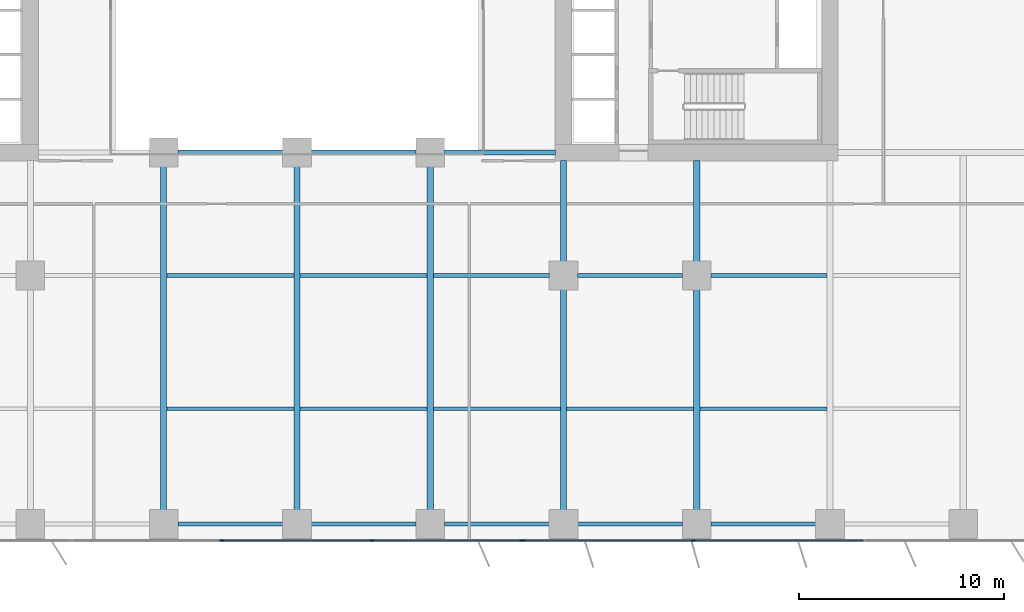
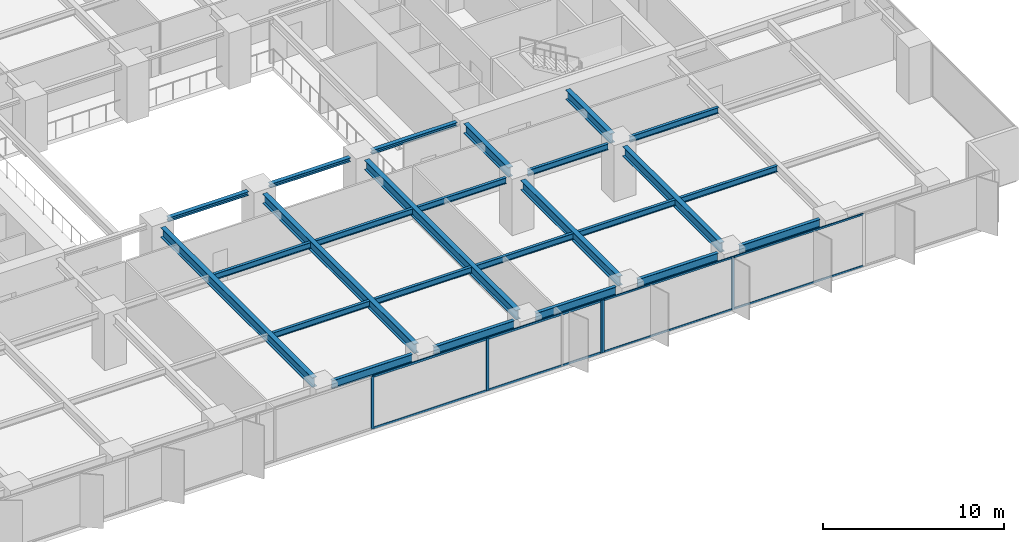
# One storey, part 5 of 20: 25 beams, 13 members, 2 elements without a shape of their own.
"""IFC4 building model written with IfcOpenShell, lengths in metres."""

from ifc_helpers import new_model, si_unit, direction, frame, origin, origin_2d, place, context, subcontext, project, spatial, rectangle, i_section, extrude, material, layer, layer_set, material_profile, profile_set, type_object, element, aggregate, save


model = new_model("IFC4")

# Units and contexts
model_context = context("Model", 3, precision=1e-05, world=origin(), true_north=direction((0.0, 1.0)))
body_context = subcontext(model_context, "Body", "Model", "MODEL_VIEW")
ifc_project = project(units=[si_unit("LENGTHUNIT", "METRE"), si_unit("AREAUNIT", "SQUARE_METRE"), si_unit("VOLUMEUNIT", "CUBIC_METRE"), si_unit("PLANEANGLEUNIT", "RADIAN"), si_unit("MASSUNIT", "GRAM", prefix="KILO")], contexts=[model_context])

# Site, building, storey
site_placement = place(None, origin())
site = spatial("IfcSite", under=ifc_project, at=site_placement, CompositionType="ELEMENT")
building_placement = place(site_placement, origin())
building = spatial("IfcBuilding", under=site, at=building_placement, Name="Putna Gate Headquarters", CompositionType="ELEMENT")
storey_placement = place(building_placement, frame((0.0, 0.0, 58.199951171875)))
storey = spatial("IfcBuildingStorey", under=building, at=storey_placement, Name="L13", CompositionType="ELEMENT", Elevation=58.199951171875)

# Beams
ifc_material_1 = material(Name="Steel S355J2", Category="steel")
ifc_material_profile_1 = material_profile(ifc_material_1, i_section(OverallWidth=0.260009765625, OverallDepth=0.260009765625, WebThickness=0.010009765625, FlangeThickness=0.017578125, at=origin_2d()), Name="Steel S355J2")
ifc_profile_set_1 = profile_set([ifc_material_profile_1], Name="Steel S355J2")
beam_type_1 = type_object("IfcBeamType", Name="BM-ATRIUM-HEB260", PredefinedType="BEAM", material=ifc_profile_set_1)
for number, where, z_axis, x_axis, name in (
    (1, (33.18798828125, 19.0, 3.420166015625), (1.0, 0.0, 0.0), (0.0, 1.0, 0.0), "L13 Atrium Edge Beam AS2"),
    (2, (39.68798828125, 19.0, 3.420166015625), (1.0, 0.0, 0.0), (0.0, 1.0, 0.0), "L13 Atrium Edge Beam AS3"),
):
    element("IfcBeam", number, at=place(storey_placement, frame(where, z_axis=z_axis, x_axis=x_axis)), inside=storey, type_object=beam_type_1, Name=name, PredefinedType="BEAM", context=body_context, shape_type="SweptSolid", body=[
        extrude(i_section(OverallWidth=0.260009765625, OverallDepth=0.260009765625, WebThickness=0.010009765625, FlangeThickness=0.017578125, at=origin_2d()), origin(), (0.0, 0.0, 1.0), 5.1240234375),
    ])
beam_1_placement = place(storey_placement, frame((46.18798828125, 19.0, 3.420166015625), z_axis=(1.0, 0.0, 0.0), x_axis=(0.0, 1.0, 0.0)))
element("IfcBeam", 3, at=beam_1_placement, inside=storey, type_object=beam_type_1, Name="L13 Atrium Edge Beam AS4", PredefinedType="BEAM", context=body_context, shape_type="SweptSolid", body=[
    extrude(i_section(OverallWidth=0.260009765625, OverallDepth=0.260009765625, WebThickness=0.010009765625, FlangeThickness=0.017578125, at=origin_2d()), origin(), (0.0, 0.0, 1.0), 5.427001953125),
])
ifc_material_profile_2 = material_profile(ifc_material_1, i_section(OverallWidth=0.300048828125, OverallDepth=0.64990234375, WebThickness=0.01611328125, FlangeThickness=0.031005859375, at=origin_2d()), Name="Steel S355J2")
ifc_profile_set_2 = profile_set([ifc_material_profile_2], Name="Steel S355J2")
beam_type_2 = type_object("IfcBeamType", Name="BM-GIRD-Z1-HEB650", PredefinedType="USERDEFINED", material=ifc_profile_set_2)
for number, where, z_axis, x_axis, name in (
    (4, (32.5, 1.568115234375, 3.22509765625), (0.0, 1.0, 0.0), (-1.0, 0.0, 0.0), "L13 South Primary Girder X32"),
    (5, (39.0, 1.568115234375, 3.22509765625), (0.0, 1.0, 0.0), (-1.0, 0.0, 0.0), "L13 South Primary Girder X39"),
    (6, (45.5, 1.568115234375, 3.22509765625), (0.0, 1.0, 0.0), (-1.0, 0.0, 0.0), "L13 South Primary Girder X45"),
):
    element("IfcBeam", number, at=place(storey_placement, frame(where, z_axis=z_axis, x_axis=x_axis)), inside=storey, type_object=beam_type_2, Name=name, ObjectType="GIRDER", PredefinedType="USERDEFINED", context=body_context, shape_type="SweptSolid", body=[
        extrude(i_section(OverallWidth=0.300048828125, OverallDepth=0.64990234375, WebThickness=0.01611328125, FlangeThickness=0.031005859375, at=origin_2d()), origin(), (0.0, 0.0, 1.0), 16.743896484375),
    ])
beam_2_placement = place(storey_placement, frame((52.0, 1.568115234375, 3.22509765625), z_axis=(0.0, 1.0, 0.0), x_axis=(-1.0, 0.0, 0.0)))
element("IfcBeam", 7, at=beam_2_placement, inside=storey, type_object=beam_type_2, Name="L13 South Primary Girder X52-1", ObjectType="GIRDER", PredefinedType="USERDEFINED", context=body_context, shape_type="SweptSolid", body=[
    extrude(i_section(OverallWidth=0.300048828125, OverallDepth=0.64990234375, WebThickness=0.01611328125, FlangeThickness=0.031005859375, at=origin_2d()), origin(), (0.0, 0.0, 1.0), 10.743896484375),
])
beam_3_placement = place(storey_placement, frame((52.0, 13.68798828125, 3.22509765625), z_axis=(0.0, 1.0, 0.0), x_axis=(-1.0, 0.0, 0.0)))
element("IfcBeam", 8, at=beam_3_placement, inside=storey, type_object=beam_type_2, Name="L13 South Primary Girder X52-2", ObjectType="GIRDER", PredefinedType="USERDEFINED", context=body_context, shape_type="SweptSolid", body=[
    extrude(i_section(OverallWidth=0.300048828125, OverallDepth=0.64990234375, WebThickness=0.01611328125, FlangeThickness=0.031005859375, at=origin_2d()), origin(), (0.0, 0.0, 1.0), 4.927001953125),
])
beam_4_placement = place(storey_placement, frame((58.5, 1.568115234375, 3.22509765625), z_axis=(0.0, 1.0, 0.0), x_axis=(-1.0, 0.0, 0.0)))
element("IfcBeam", 9, at=beam_4_placement, inside=storey, type_object=beam_type_2, Name="L13 South Primary Girder X58-1", ObjectType="GIRDER", PredefinedType="USERDEFINED", context=body_context, shape_type="SweptSolid", body=[
    extrude(i_section(OverallWidth=0.300048828125, OverallDepth=0.64990234375, WebThickness=0.01611328125, FlangeThickness=0.031005859375, at=origin_2d()), origin(), (0.0, 0.0, 1.0), 10.743896484375),
])
beam_5_placement = place(storey_placement, frame((58.5, 13.68798828125, 3.22509765625), z_axis=(0.0, 1.0, 0.0), x_axis=(-1.0, 0.0, 0.0)))
element("IfcBeam", 10, at=beam_5_placement, inside=storey, type_object=beam_type_2, Name="L13 South Primary Girder X58-2", ObjectType="GIRDER", PredefinedType="USERDEFINED", context=body_context, shape_type="SweptSolid", body=[
    extrude(i_section(OverallWidth=0.300048828125, OverallDepth=0.64990234375, WebThickness=0.01611328125, FlangeThickness=0.031005859375, at=origin_2d()), origin(), (0.0, 0.0, 1.0), 4.927001953125),
])
ifc_material_profile_3 = material_profile(ifc_material_1, i_section(OverallWidth=0.179931640625, OverallDepth=0.39990234375, WebThickness=0.008544921875, FlangeThickness=0.013427734375, at=origin_2d()), Name="Steel S355J2")
ifc_profile_set_3 = profile_set([ifc_material_profile_3], Name="Steel S355J2")
beam_type_3 = type_object("IfcBeamType", Name="BM-SEC-Z1-IPE400", PredefinedType="BEAM", material=ifc_profile_set_3)
for number, where, z_axis, x_axis, name in (
    (11, (32.654052734375, 6.5, 3.35009765625), (1.0, 0.0, 0.0), (0.0, 1.0, 0.0), "L13 South Secondary Beam 5"),
    (12, (32.654052734375, 13.0, 3.35009765625), (1.0, 0.0, 0.0), (0.0, 1.0, 0.0), "L13 South Secondary Beam 5"),
    (13, (39.154052734375, 6.5, 3.35009765625), (1.0, 0.0, 0.0), (0.0, 1.0, 0.0), "L13 South Secondary Beam 6"),
    (14, (39.154052734375, 13.0, 3.35009765625), (1.0, 0.0, 0.0), (0.0, 1.0, 0.0), "L13 South Secondary Beam 6"),
    (15, (45.654052734375, 6.5, 3.35009765625), (1.0, 0.0, 0.0), (0.0, 1.0, 0.0), "L13 South Secondary Beam 7"),
):
    element("IfcBeam", number, at=place(storey_placement, frame(where, z_axis=z_axis, x_axis=x_axis)), inside=storey, type_object=beam_type_3, Name=name, PredefinedType="BEAM", context=body_context, shape_type="SweptSolid", body=[
        extrude(i_section(OverallWidth=0.179931640625, OverallDepth=0.39990234375, WebThickness=0.008544921875, FlangeThickness=0.013427734375, at=origin_2d()), origin(), (0.0, 0.0, 1.0), 6.19189453125),
    ])
beam_6_placement = place(storey_placement, frame((45.654052734375, 13.0, 3.35009765625), z_axis=(1.0, 0.0, 0.0), x_axis=(0.0, 1.0, 0.0)))
element("IfcBeam", 16, at=beam_6_placement, inside=storey, type_object=beam_type_3, Name="L13 South Secondary Beam 7", PredefinedType="BEAM", context=body_context, shape_type="SweptSolid", body=[
    extrude(i_section(OverallWidth=0.179931640625, OverallDepth=0.39990234375, WebThickness=0.008544921875, FlangeThickness=0.013427734375, at=origin_2d()), origin(), (0.0, 0.0, 1.0), 5.657958984375),
])
beam_7_placement = place(storey_placement, frame((52.154052734375, 6.5, 3.35009765625), z_axis=(1.0, 0.0, 0.0), x_axis=(0.0, 1.0, 0.0)))
element("IfcBeam", 17, at=beam_7_placement, inside=storey, type_object=beam_type_3, Name="L13 South Secondary Beam 8", PredefinedType="BEAM", context=body_context, shape_type="SweptSolid", body=[
    extrude(i_section(OverallWidth=0.179931640625, OverallDepth=0.39990234375, WebThickness=0.008544921875, FlangeThickness=0.013427734375, at=origin_2d()), origin(), (0.0, 0.0, 1.0), 6.19189453125),
])
beam_8_placement = place(storey_placement, frame((52.68798828125, 13.0, 3.35009765625), z_axis=(1.0, 0.0, 0.0), x_axis=(0.0, 1.0, 0.0)))
element("IfcBeam", 18, at=beam_8_placement, inside=storey, type_object=beam_type_3, Name="L13 South Secondary Beam 8", PredefinedType="BEAM", context=body_context, shape_type="SweptSolid", body=[
    extrude(i_section(OverallWidth=0.179931640625, OverallDepth=0.39990234375, WebThickness=0.008544921875, FlangeThickness=0.013427734375, at=origin_2d()), origin(), (0.0, 0.0, 1.0), 5.1240234375),
])
beam_9_placement = place(storey_placement, frame((58.654052734375, 6.5, 3.35009765625), z_axis=(1.0, 0.0, 0.0), x_axis=(0.0, 1.0, 0.0)))
element("IfcBeam", 19, at=beam_9_placement, inside=storey, type_object=beam_type_3, Name="L13 South Secondary Beam 9", PredefinedType="BEAM", context=body_context, shape_type="SweptSolid", body=[
    extrude(i_section(OverallWidth=0.179931640625, OverallDepth=0.39990234375, WebThickness=0.008544921875, FlangeThickness=0.013427734375, at=origin_2d()), origin(), (0.0, 0.0, 1.0), 6.19189453125),
])
beam_10_placement = place(storey_placement, frame((59.18798828125, 13.0, 3.35009765625), z_axis=(1.0, 0.0, 0.0), x_axis=(0.0, 1.0, 0.0)))
element("IfcBeam", 20, at=beam_10_placement, inside=storey, type_object=beam_type_3, Name="L13 South Secondary Beam 9", PredefinedType="BEAM", context=body_context, shape_type="SweptSolid", body=[
    extrude(i_section(OverallWidth=0.179931640625, OverallDepth=0.39990234375, WebThickness=0.008544921875, FlangeThickness=0.013427734375, at=origin_2d()), origin(), (0.0, 0.0, 1.0), 5.657958984375),
])
ifc_material_profile_4 = material_profile(ifc_material_1, i_section(OverallWidth=0.2099609375, OverallDepth=0.550048828125, WebThickness=0.010986328125, FlangeThickness=0.01708984375, at=origin_2d()), Name="Steel S355J2")
ifc_profile_set_4 = profile_set([ifc_material_profile_4], Name="Steel S355J2")
beam_type_4 = type_object("IfcBeamType", Name="BM-SPAN-Z1-IPE550", PredefinedType="SPANDREL", material=ifc_profile_set_4)
for number, where, z_axis, x_axis, name in (
    (21, (33.18798828125, 0.8798828125, 3.275146484375), (1.0, 0.0, 0.0), (0.0, 1.0, 0.0), "L13 S Perimeter Spandrel 5"),
    (22, (39.68798828125, 0.8798828125, 3.275146484375), (1.0, 0.0, 0.0), (0.0, 1.0, 0.0), "L13 S Perimeter Spandrel 6"),
    (23, (46.18798828125, 0.8798828125, 3.275146484375), (1.0, 0.0, 0.0), (0.0, 1.0, 0.0), "L13 S Perimeter Spandrel 7"),
    (24, (52.68798828125, 0.8798828125, 3.275146484375), (1.0, 0.0, 0.0), (0.0, 1.0, 0.0), "L13 S Perimeter Spandrel 8"),
    (25, (59.18798828125, 0.8798828125, 3.275146484375), (1.0, 0.0, 0.0), (0.0, 1.0, 0.0), "L13 S Perimeter Spandrel 9"),
):
    element("IfcBeam", number, at=place(storey_placement, frame(where, z_axis=z_axis, x_axis=x_axis)), inside=storey, type_object=beam_type_4, Name=name, PredefinedType="SPANDREL", context=body_context, shape_type="SweptSolid", body=[
        extrude(i_section(OverallWidth=0.2099609375, OverallDepth=0.550048828125, WebThickness=0.010986328125, FlangeThickness=0.01708984375, at=origin_2d()), origin(), (0.0, 0.0, 1.0), 5.1240234375),
    ])

# Curtain wall, members
ifc_material_2 = material(Name="Anodised bronze aluminium curtain wall", Category="aluminium")
ifc_layer_1 = layer(ifc_material_2, 0.179931640625)
ifc_layer_set_1 = layer_set([ifc_layer_1], Name="Anodised bronze aluminium curtain wall")
curtain_wall_type_1 = type_object("IfcCurtainWallType", Name="CW-SYS-Z1", PredefinedType="USERDEFINED", material=ifc_layer_set_1)
curtain_wall_1_placement = place(storey_placement, origin())
curtain_wall_1 = element("IfcCurtainWall", 26, at=curtain_wall_1_placement, inside=storey, type_object=curtain_wall_type_1, Name="L13 South East Curtain Wall", ObjectType="STICK CURTAIN WALL", PredefinedType="USERDEFINED")
ifc_material_3 = material(Name="Anodised bronze aluminium EN AW-6060", Category="aluminium")
ifc_material_profile_5 = material_profile(ifc_material_3, rectangle(XDim=0.070068359375, YDim=0.179931640625, at=origin_2d()), Name="Anodised bronze aluminium EN AW-6060")
ifc_profile_set_5 = profile_set([ifc_material_profile_5], Name="Anodised bronze aluminium EN AW-6060")
member_type_1 = type_object("IfcMemberType", Name="MULL-CWM-1", PredefinedType="MULLION", material=ifc_profile_set_5)
member_1_placement = place(storey_placement, frame((50.034912109375, 0.080078125, 0.0), z_axis=(0.0, 0.0, 1.0), x_axis=(0.0, 1.0, 0.0)))
member_1 = element("IfcMember", 27, at=member_1_placement, type_object=member_type_1, Name="CWS-1 mullion 1", PredefinedType="MULLION", context=body_context, shape_type="SweptSolid", body=[
    extrude(rectangle(XDim=0.070068359375, YDim=0.179931640625, at=origin_2d()), origin(), (0.0, 0.0, 1.0), 3.550048828125),
])
member_2_placement = place(storey_placement, frame((58.333251953125, 0.080078125, 0.0), z_axis=(0.0, 0.0, 1.0), x_axis=(0.0, 1.0, 0.0)))
member_2 = element("IfcMember", 28, at=member_2_placement, type_object=member_type_1, Name="CWS-1 mullion 2", PredefinedType="MULLION", context=body_context, shape_type="SweptSolid", body=[
    extrude(rectangle(XDim=0.070068359375, YDim=0.179931640625, at=origin_2d()), origin(), (0.0, 0.0, 1.0), 3.550048828125),
])

ifc_layer_2 = layer(ifc_material_2, 0.179931640625)
ifc_layer_set_2 = layer_set([ifc_layer_2], Name="Anodised bronze aluminium curtain wall")
curtain_wall_type_2 = type_object("IfcCurtainWallType", Name="CW-SYS-ATR", PredefinedType="USERDEFINED", material=ifc_layer_set_2)
curtain_wall_2_placement = place(storey_placement, origin())
curtain_wall_2 = element("IfcCurtainWall", 29, at=curtain_wall_2_placement, inside=storey, type_object=curtain_wall_type_2, Name="L13 South Atrium Clear Glazing", ObjectType="ATRIUM GLAZING", PredefinedType="USERDEFINED")
ifc_material_profile_6 = material_profile(ifc_material_3, rectangle(XDim=0.070068359375, YDim=0.179931640625, at=origin_2d()), Name="Anodised bronze aluminium EN AW-6060")
ifc_profile_set_6 = profile_set([ifc_material_profile_6], Name="Anodised bronze aluminium EN AW-6060")
member_type_2 = type_object("IfcMemberType", Name="MULL-CWM-AT", PredefinedType="MULLION", material=ifc_profile_set_6)
member_3_placement = place(storey_placement, frame((35.333251953125, 0.080078125, 0.0), z_axis=(0.0, 0.0, 1.0), x_axis=(0.0, 1.0, 0.0)))
member_3 = element("IfcMember", 30, at=member_3_placement, type_object=member_type_2, Name="CWS-AT mullion 2", PredefinedType="MULLION", context=body_context, shape_type="SweptSolid", body=[
    extrude(rectangle(XDim=0.070068359375, YDim=0.179931640625, at=origin_2d()), origin(), (0.0, 0.0, 1.0), 3.550048828125),
])
member_4_placement = place(storey_placement, frame((42.666748046875, 0.080078125, 0.0), z_axis=(0.0, 0.0, 1.0), x_axis=(0.0, 1.0, 0.0)))
member_4 = element("IfcMember", 31, at=member_4_placement, type_object=member_type_2, Name="CWS-AT mullion 3", PredefinedType="MULLION", context=body_context, shape_type="SweptSolid", body=[
    extrude(rectangle(XDim=0.070068359375, YDim=0.179931640625, at=origin_2d()), origin(), (0.0, 0.0, 1.0), 3.550048828125),
])
member_5_placement = place(storey_placement, frame((49.965087890625, 0.080078125, 0.0), z_axis=(0.0, 0.0, 1.0), x_axis=(0.0, 1.0, 0.0)))
member_5 = element("IfcMember", 32, at=member_5_placement, type_object=member_type_2, Name="CWS-AT mullion 4", PredefinedType="MULLION", context=body_context, shape_type="SweptSolid", body=[
    extrude(rectangle(XDim=0.070068359375, YDim=0.179931640625, at=origin_2d()), origin(), (0.0, 0.0, 1.0), 3.550048828125),
])

# Member
ifc_material_profile_7 = material_profile(ifc_material_3, rectangle(XDim=0.06494140625, YDim=0.1201171875, at=origin_2d()), Name="Anodised bronze aluminium EN AW-6060")
ifc_profile_set_7 = profile_set([ifc_material_profile_7], Name="Anodised bronze aluminium EN AW-6060")
member_type_3 = type_object("IfcMemberType", Name="TRAN-CWT-1", PredefinedType="USERDEFINED", material=ifc_profile_set_7)
member_6_placement = place(storey_placement, frame((50.070068359375, 0.080078125, 0.032470703125), z_axis=(1.0, 0.0, 0.0), x_axis=(0.0, 1.0, 0.0)))
member_6 = element("IfcMember", 33, at=member_6_placement, type_object=member_type_3, Name="CWS-1 transom 1.1", ObjectType="TRANSOM", PredefinedType="USERDEFINED", context=body_context, shape_type="SweptSolid", body=[
    extrude(rectangle(XDim=0.06494140625, YDim=0.1201171875, at=origin_2d()), origin(), (0.0, 0.0, 1.0), 8.228271484375),
])

member_7_placement = place(storey_placement, frame((50.070068359375, 0.080078125, 3.517578125), z_axis=(1.0, 0.0, 0.0), x_axis=(0.0, 1.0, 0.0)))
member_7 = element("IfcMember", 34, at=member_7_placement, type_object=member_type_3, Name="CWS-1 transom 1.2", ObjectType="TRANSOM", PredefinedType="USERDEFINED", context=body_context, shape_type="SweptSolid", body=[
    extrude(rectangle(XDim=0.06494140625, YDim=0.1201171875, at=origin_2d()), origin(), (0.0, 0.0, 1.0), 8.228271484375),
])

member_8_placement = place(storey_placement, frame((58.368408203125, 0.080078125, 0.032470703125), z_axis=(1.0, 0.0, 0.0), x_axis=(0.0, 1.0, 0.0)))
member_8 = element("IfcMember", 35, at=member_8_placement, type_object=member_type_3, Name="CWS-1 transom 2.1", ObjectType="TRANSOM", PredefinedType="USERDEFINED", context=body_context, shape_type="SweptSolid", body=[
    extrude(rectangle(XDim=0.06494140625, YDim=0.1201171875, at=origin_2d()), origin(), (0.0, 0.0, 1.0), 8.26318359375),
])

member_9_placement = place(storey_placement, frame((58.368408203125, 0.080078125, 3.517578125), z_axis=(1.0, 0.0, 0.0), x_axis=(0.0, 1.0, 0.0)))
member_9 = element("IfcMember", 36, at=member_9_placement, type_object=member_type_3, Name="CWS-1 transom 2.2", ObjectType="TRANSOM", PredefinedType="USERDEFINED", context=body_context, shape_type="SweptSolid", body=[
    extrude(rectangle(XDim=0.06494140625, YDim=0.1201171875, at=origin_2d()), origin(), (0.0, 0.0, 1.0), 8.26318359375),
])

aggregate(curtain_wall_1, [member_1, member_2, member_6, member_7, member_8, member_9])

ifc_material_profile_8 = material_profile(ifc_material_3, rectangle(XDim=0.070068359375, YDim=0.139892578125, at=origin_2d()), Name="Anodised bronze aluminium EN AW-6060")
ifc_profile_set_8 = profile_set([ifc_material_profile_8], Name="Anodised bronze aluminium EN AW-6060")
member_type_4 = type_object("IfcMemberType", Name="TRAN-CWT-AT", PredefinedType="USERDEFINED", material=ifc_profile_set_8)
member_10_placement = place(storey_placement, frame((35.368408203125, 0.080078125, 0.03515625), z_axis=(1.0, 0.0, 0.0), x_axis=(0.0, 1.0, 0.0)))
member_10 = element("IfcMember", 37, at=member_10_placement, type_object=member_type_4, Name="CWS-AT transom 2.1", ObjectType="TRANSOM", PredefinedType="USERDEFINED", context=body_context, shape_type="SweptSolid", body=[
    extrude(rectangle(XDim=0.070068359375, YDim=0.139892578125, at=origin_2d()), origin(), (0.0, 0.0, 1.0), 7.26318359375),
])

member_11_placement = place(storey_placement, frame((35.368408203125, 0.080078125, 3.51513671875), z_axis=(1.0, 0.0, 0.0), x_axis=(0.0, 1.0, 0.0)))
member_11 = element("IfcMember", 38, at=member_11_placement, type_object=member_type_4, Name="CWS-AT transom 2.2", ObjectType="TRANSOM", PredefinedType="USERDEFINED", context=body_context, shape_type="SweptSolid", body=[
    extrude(rectangle(XDim=0.070068359375, YDim=0.139892578125, at=origin_2d()), origin(), (0.0, 0.0, 1.0), 7.26318359375),
])

member_12_placement = place(storey_placement, frame((42.70166015625, 0.080078125, 0.03515625), z_axis=(1.0, 0.0, 0.0), x_axis=(0.0, 1.0, 0.0)))
member_12 = element("IfcMember", 39, at=member_12_placement, type_object=member_type_4, Name="CWS-AT transom 3.1", ObjectType="TRANSOM", PredefinedType="USERDEFINED", context=body_context, shape_type="SweptSolid", body=[
    extrude(rectangle(XDim=0.070068359375, YDim=0.139892578125, at=origin_2d()), origin(), (0.0, 0.0, 1.0), 7.228271484375),
])

member_13_placement = place(storey_placement, frame((42.70166015625, 0.080078125, 3.51513671875), z_axis=(1.0, 0.0, 0.0), x_axis=(0.0, 1.0, 0.0)))
member_13 = element("IfcMember", 40, at=member_13_placement, type_object=member_type_4, Name="CWS-AT transom 3.2", ObjectType="TRANSOM", PredefinedType="USERDEFINED", context=body_context, shape_type="SweptSolid", body=[
    extrude(rectangle(XDim=0.070068359375, YDim=0.139892578125, at=origin_2d()), origin(), (0.0, 0.0, 1.0), 7.228271484375),
])

aggregate(curtain_wall_2, [member_3, member_4, member_5, member_10, member_11, member_12, member_13])

save(model, "model.ifc")
